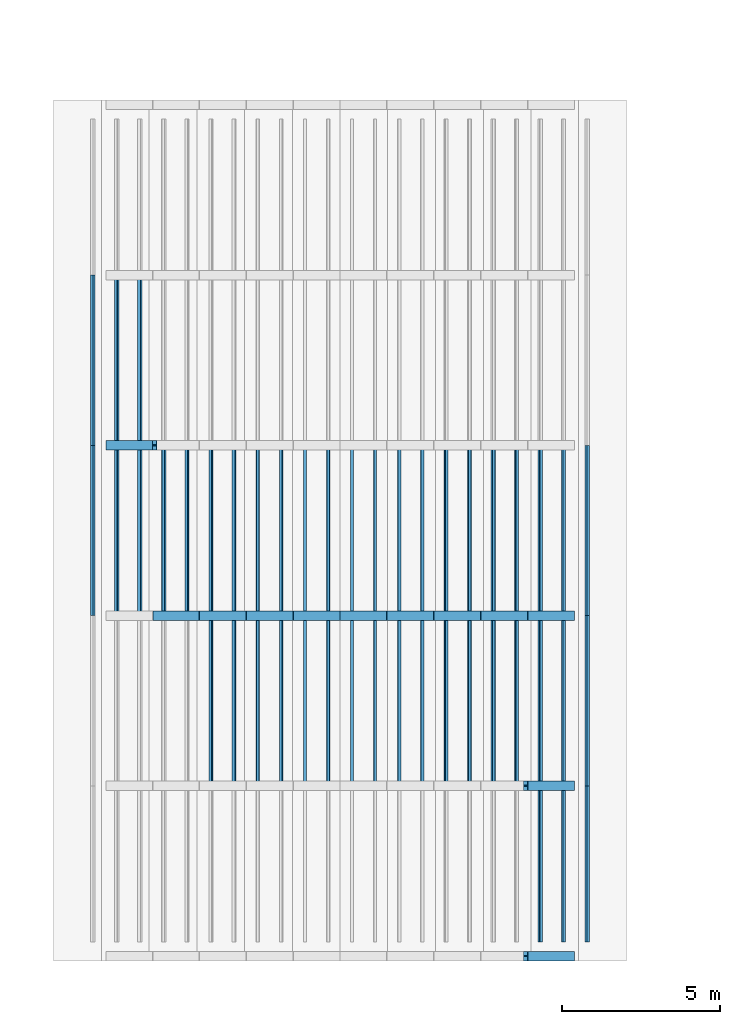
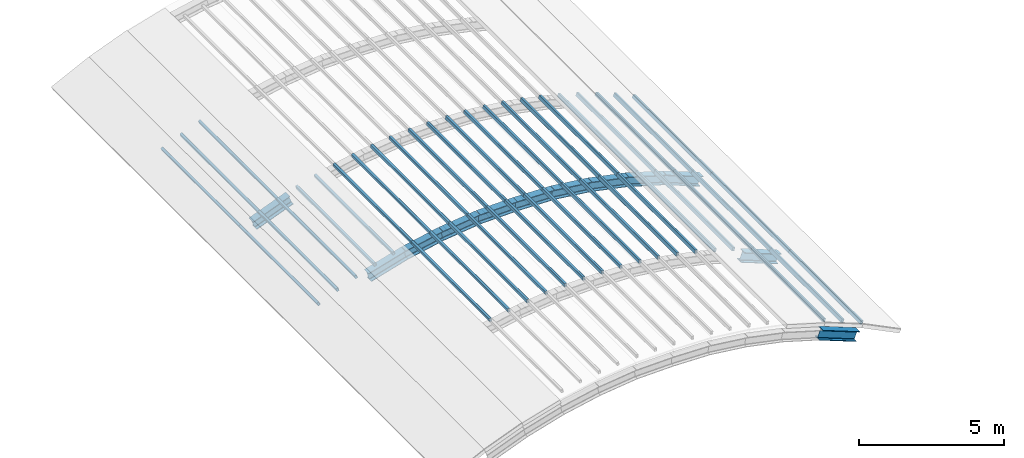
# One storey, part 5 of 65: 57 members.
"""IFC4 building model written with IfcOpenShell, lengths in metres."""

from ifc_helpers import new_model, si_unit, direction, frame, origin, origin_2d, place, context, subcontext, project, spatial, hollow_rectangle, i_section, extrude, material, material_profile, profile_set, type_object, element, save


model = new_model("IFC4")

# Units and contexts
model_context = context("Model", 3, precision=1e-05, world=origin(), true_north=direction((0.0, 1.0)))
body_context = subcontext(model_context, "Body", "Model", "MODEL_VIEW")
ifc_project = project(units=[si_unit("LENGTHUNIT", "METRE"), si_unit("AREAUNIT", "SQUARE_METRE"), si_unit("VOLUMEUNIT", "CUBIC_METRE"), si_unit("PLANEANGLEUNIT", "RADIAN"), si_unit("MASSUNIT", "GRAM", prefix="KILO")], contexts=[model_context])

# Site, building, storey
site_placement = place(None, origin())
site = spatial("IfcSite", under=ifc_project, at=site_placement, CompositionType="ELEMENT")
building_placement = place(site_placement, origin())
building = spatial("IfcBuilding", under=site, at=building_placement, Name="Elbe Cascade School", CompositionType="ELEMENT")
storey_placement = place(building_placement, frame((0.0, 0.0, 11.699951171875)))
storey = spatial("IfcBuildingStorey", under=building, at=storey_placement, Name="L03", CompositionType="ELEMENT", Elevation=11.699951171875)

# Members
ifc_material_1 = material(Name="Steel S355J2H", Category="steel")
ifc_material_profile_1 = material_profile(ifc_material_1, hollow_rectangle(XDim=0.10009765625, YDim=0.14990234375, WallThickness=0.008056640625, InnerFilletRadius=0.008056640625, OuterFilletRadius=0.011962890625, at=origin_2d()), Name="RHS 150x100x8")
ifc_profile_set_1 = profile_set([ifc_material_profile_1], Name="Steel S355J2H")
member_type_1 = type_object("IfcMemberType", Name="Assembly hall vault purlin RHS 150x100x8", PredefinedType="PURLIN", material=ifc_profile_set_1)
member_1_placement = place(storey_placement, frame((9.1552734375, 16.800048828125, 0.316650390625), z_axis=(0.0, 1.0, 0.0), x_axis=(-0.896138941153, 0.0, -0.443773588837)))
element("IfcMember", 1, at=member_1_placement, inside=storey, type_object=member_type_1, Name="Assembly hall vault purlin RHS 150x100x8 M12", PredefinedType="PURLIN", context=body_context, shape_type="SweptSolid", body=[
    extrude(hollow_rectangle(XDim=0.10009765625, YDim=0.14990234375, WallThickness=0.008056640625, InnerFilletRadius=0.008056640625, OuterFilletRadius=0.011962890625, at=origin_2d()), origin(), (0.0, 0.0, 1.0), 5.39990234375),
])
member_2_placement = place(storey_placement, frame((9.1552734375, 22.199951171875, 0.316650390625), z_axis=(0.0, 1.0, 0.0), x_axis=(-0.896138941153, 0.0, -0.443773588837)))
element("IfcMember", 2, at=member_2_placement, inside=storey, type_object=member_type_1, Name="Assembly hall vault purlin RHS 150x100x8 M12", PredefinedType="PURLIN", context=body_context, shape_type="SweptSolid", body=[
    extrude(hollow_rectangle(XDim=0.10009765625, YDim=0.14990234375, WallThickness=0.008056640625, InnerFilletRadius=0.008056640625, OuterFilletRadius=0.011962890625, at=origin_2d()), origin(), (0.0, 0.0, 1.0), 5.400146484375),
])
member_3_placement = place(storey_placement, frame((9.9130859375, 16.800048828125, 0.65185546875), z_axis=(0.0, 1.0, 0.0), x_axis=(-0.931759682277, 0.0, -0.363075604362)))
element("IfcMember", 3, at=member_3_placement, inside=storey, type_object=member_type_1, Name="Assembly hall vault purlin RHS 150x100x8 M12", PredefinedType="PURLIN", context=body_context, shape_type="SweptSolid", body=[
    extrude(hollow_rectangle(XDim=0.10009765625, YDim=0.14990234375, WallThickness=0.008056640625, InnerFilletRadius=0.008056640625, OuterFilletRadius=0.011962890625, at=origin_2d()), origin(), (0.0, 0.0, 1.0), 5.39990234375),
])
member_4_placement = place(storey_placement, frame((9.9130859375, 22.199951171875, 0.65185546875), z_axis=(0.0, 1.0, 0.0), x_axis=(-0.931759682277, 0.0, -0.363075604362)))
element("IfcMember", 4, at=member_4_placement, inside=storey, type_object=member_type_1, Name="Assembly hall vault purlin RHS 150x100x8 M12", PredefinedType="PURLIN", context=body_context, shape_type="SweptSolid", body=[
    extrude(hollow_rectangle(XDim=0.10009765625, YDim=0.14990234375, WallThickness=0.008056640625, InnerFilletRadius=0.008056640625, OuterFilletRadius=0.011962890625, at=origin_2d()), origin(), (0.0, 0.0, 1.0), 5.400146484375),
])
member_5_placement = place(storey_placement, frame((10.6484375, 16.800048828125, 0.9384765625), z_axis=(0.0, 1.0, 0.0), x_axis=(-0.931759682277, 0.0, -0.363075604362)))
element("IfcMember", 5, at=member_5_placement, inside=storey, type_object=member_type_1, Name="Assembly hall vault purlin RHS 150x100x8 M12", PredefinedType="PURLIN", context=body_context, shape_type="SweptSolid", body=[
    extrude(hollow_rectangle(XDim=0.10009765625, YDim=0.14990234375, WallThickness=0.008056640625, InnerFilletRadius=0.008056640625, OuterFilletRadius=0.011962890625, at=origin_2d()), origin(), (0.0, 0.0, 1.0), 5.39990234375),
])
member_6_placement = place(storey_placement, frame((10.6484375, 22.199951171875, 0.9384765625), z_axis=(0.0, 1.0, 0.0), x_axis=(-0.931759682277, 0.0, -0.363075604362)))
element("IfcMember", 6, at=member_6_placement, inside=storey, type_object=member_type_1, Name="Assembly hall vault purlin RHS 150x100x8 M12", PredefinedType="PURLIN", context=body_context, shape_type="SweptSolid", body=[
    extrude(hollow_rectangle(XDim=0.10009765625, YDim=0.14990234375, WallThickness=0.008056640625, InnerFilletRadius=0.008056640625, OuterFilletRadius=0.011962890625, at=origin_2d()), origin(), (0.0, 0.0, 1.0), 5.400146484375),
])
for number, where, z_axis, x_axis, name in (
    (7, (11.40625, 16.800048828125, 1.197509765625), (0.0, 1.0, 0.0), (-0.959320873157, 0.0, -0.282318016296), "Assembly hall vault purlin RHS 150x100x8 M12"),
    (8, (12.1416015625, 16.800048828125, 1.4140625), (0.0, 1.0, 0.0), (-0.959320873157, 0.0, -0.282318016296), "Assembly hall vault purlin RHS 150x100x8 M12"),
):
    element("IfcMember", number, at=place(storey_placement, frame(where, z_axis=z_axis, x_axis=x_axis)), inside=storey, type_object=member_type_1, Name=name, PredefinedType="PURLIN", context=body_context, shape_type="SweptSolid", body=[
        extrude(hollow_rectangle(XDim=0.10009765625, YDim=0.14990234375, WallThickness=0.008056640625, InnerFilletRadius=0.008056640625, OuterFilletRadius=0.011962890625, at=origin_2d()), origin(), (0.0, 0.0, 1.0), 5.39990234375),
    ])
member_7_placement = place(storey_placement, frame((12.8994140625, 11.39990234375, 1.603515625), z_axis=(0.0, 1.0, 0.0), x_axis=(-0.979450827338, 0.0, -0.201683109922)))
element("IfcMember", 9, at=member_7_placement, inside=storey, type_object=member_type_1, Name="Assembly hall vault purlin RHS 150x100x8 M12", PredefinedType="PURLIN", context=body_context, shape_type="SweptSolid", body=[
    extrude(hollow_rectangle(XDim=0.10009765625, YDim=0.14990234375, WallThickness=0.008056640625, InnerFilletRadius=0.008056640625, OuterFilletRadius=0.011962890625, at=origin_2d()), origin(), (0.0, 0.0, 1.0), 5.400146484375),
])
member_8_placement = place(storey_placement, frame((12.8994140625, 16.800048828125, 1.603515625), z_axis=(0.0, 1.0, 0.0), x_axis=(-0.979450827338, 0.0, -0.201683109922)))
element("IfcMember", 10, at=member_8_placement, inside=storey, type_object=member_type_1, Name="Assembly hall vault purlin RHS 150x100x8 M12", PredefinedType="PURLIN", context=body_context, shape_type="SweptSolid", body=[
    extrude(hollow_rectangle(XDim=0.10009765625, YDim=0.14990234375, WallThickness=0.008056640625, InnerFilletRadius=0.008056640625, OuterFilletRadius=0.011962890625, at=origin_2d()), origin(), (0.0, 0.0, 1.0), 5.39990234375),
])
member_9_placement = place(storey_placement, frame((13.635009765625, 11.39990234375, 1.7548828125), z_axis=(0.0, 1.0, 0.0), x_axis=(-0.979450827338, 0.0, -0.201683109922)))
element("IfcMember", 11, at=member_9_placement, inside=storey, type_object=member_type_1, Name="Assembly hall vault purlin RHS 150x100x8 M12", PredefinedType="PURLIN", context=body_context, shape_type="SweptSolid", body=[
    extrude(hollow_rectangle(XDim=0.10009765625, YDim=0.14990234375, WallThickness=0.008056640625, InnerFilletRadius=0.008056640625, OuterFilletRadius=0.011962890625, at=origin_2d()), origin(), (0.0, 0.0, 1.0), 5.400146484375),
])
member_10_placement = place(storey_placement, frame((13.635009765625, 16.800048828125, 1.7548828125), z_axis=(0.0, 1.0, 0.0), x_axis=(-0.979450827338, 0.0, -0.201683109922)))
element("IfcMember", 12, at=member_10_placement, inside=storey, type_object=member_type_1, Name="Assembly hall vault purlin RHS 150x100x8 M12", PredefinedType="PURLIN", context=body_context, shape_type="SweptSolid", body=[
    extrude(hollow_rectangle(XDim=0.10009765625, YDim=0.14990234375, WallThickness=0.008056640625, InnerFilletRadius=0.008056640625, OuterFilletRadius=0.011962890625, at=origin_2d()), origin(), (0.0, 0.0, 1.0), 5.39990234375),
])
member_11_placement = place(storey_placement, frame((14.392578125, 11.39990234375, 1.879150390625), z_axis=(0.0, 1.0, 0.0), x_axis=(-0.992652124759, 0.0, -0.121003137194)))
element("IfcMember", 13, at=member_11_placement, inside=storey, type_object=member_type_1, Name="Assembly hall vault purlin RHS 150x100x8 M12", PredefinedType="PURLIN", context=body_context, shape_type="SweptSolid", body=[
    extrude(hollow_rectangle(XDim=0.10009765625, YDim=0.14990234375, WallThickness=0.008056640625, InnerFilletRadius=0.008056640625, OuterFilletRadius=0.011962890625, at=origin_2d()), origin(), (0.0, 0.0, 1.0), 5.400146484375),
])
member_12_placement = place(storey_placement, frame((14.392578125, 16.800048828125, 1.879150390625), z_axis=(0.0, 1.0, 0.0), x_axis=(-0.992652124759, 0.0, -0.121003137194)))
element("IfcMember", 14, at=member_12_placement, inside=storey, type_object=member_type_1, Name="Assembly hall vault purlin RHS 150x100x8 M12", PredefinedType="PURLIN", context=body_context, shape_type="SweptSolid", body=[
    extrude(hollow_rectangle(XDim=0.10009765625, YDim=0.14990234375, WallThickness=0.008056640625, InnerFilletRadius=0.008056640625, OuterFilletRadius=0.011962890625, at=origin_2d()), origin(), (0.0, 0.0, 1.0), 5.39990234375),
])
member_13_placement = place(storey_placement, frame((15.1279296875, 11.39990234375, 1.96875), z_axis=(0.0, 1.0, 0.0), x_axis=(-0.992652124759, 0.0, -0.121003137194)))
element("IfcMember", 15, at=member_13_placement, inside=storey, type_object=member_type_1, Name="Assembly hall vault purlin RHS 150x100x8 M12", PredefinedType="PURLIN", context=body_context, shape_type="SweptSolid", body=[
    extrude(hollow_rectangle(XDim=0.10009765625, YDim=0.14990234375, WallThickness=0.008056640625, InnerFilletRadius=0.008056640625, OuterFilletRadius=0.011962890625, at=origin_2d()), origin(), (0.0, 0.0, 1.0), 5.400146484375),
])
member_14_placement = place(storey_placement, frame((15.1279296875, 16.800048828125, 1.96875), z_axis=(0.0, 1.0, 0.0), x_axis=(-0.992652124759, 0.0, -0.121003137194)))
element("IfcMember", 16, at=member_14_placement, inside=storey, type_object=member_type_1, Name="Assembly hall vault purlin RHS 150x100x8 M12", PredefinedType="PURLIN", context=body_context, shape_type="SweptSolid", body=[
    extrude(hollow_rectangle(XDim=0.10009765625, YDim=0.14990234375, WallThickness=0.008056640625, InnerFilletRadius=0.008056640625, OuterFilletRadius=0.011962890625, at=origin_2d()), origin(), (0.0, 0.0, 1.0), 5.39990234375),
])
member_15_placement = place(storey_placement, frame((15.890380859375, 11.39990234375, 2.024169921875), z_axis=(0.0, 1.0, 0.0), x_axis=(-0.999726690182, 0.0, -0.023378300587)))
element("IfcMember", 17, at=member_15_placement, inside=storey, type_object=member_type_1, Name="Assembly hall vault purlin RHS 150x100x8 M12", PredefinedType="PURLIN", context=body_context, shape_type="SweptSolid", body=[
    extrude(hollow_rectangle(XDim=0.10009765625, YDim=0.14990234375, WallThickness=0.008056640625, InnerFilletRadius=0.008056640625, OuterFilletRadius=0.011962890625, at=origin_2d()), origin(), (0.0, 0.0, 1.0), 5.400146484375),
])
member_16_placement = place(storey_placement, frame((15.890380859375, 16.800048828125, 2.024169921875), z_axis=(0.0, 1.0, 0.0), x_axis=(-0.999726690182, 0.0, -0.023378300587)))
element("IfcMember", 18, at=member_16_placement, inside=storey, type_object=member_type_1, Name="Assembly hall vault purlin RHS 150x100x8 M12", PredefinedType="PURLIN", context=body_context, shape_type="SweptSolid", body=[
    extrude(hollow_rectangle(XDim=0.10009765625, YDim=0.14990234375, WallThickness=0.008056640625, InnerFilletRadius=0.008056640625, OuterFilletRadius=0.011962890625, at=origin_2d()), origin(), (0.0, 0.0, 1.0), 5.39990234375),
])
member_17_placement = place(storey_placement, frame((16.625732421875, 11.39990234375, 2.041259765625), z_axis=(0.0, 1.0, 0.0), x_axis=(-0.999726690182, 0.0, -0.023378300587)))
element("IfcMember", 19, at=member_17_placement, inside=storey, type_object=member_type_1, Name="Assembly hall vault purlin RHS 150x100x8 M12", PredefinedType="PURLIN", context=body_context, shape_type="SweptSolid", body=[
    extrude(hollow_rectangle(XDim=0.10009765625, YDim=0.14990234375, WallThickness=0.008056640625, InnerFilletRadius=0.008056640625, OuterFilletRadius=0.011962890625, at=origin_2d()), origin(), (0.0, 0.0, 1.0), 5.400146484375),
])
member_18_placement = place(storey_placement, frame((16.625732421875, 16.800048828125, 2.041259765625), z_axis=(0.0, 1.0, 0.0), x_axis=(-0.999726690182, 0.0, -0.023378300587)))
element("IfcMember", 20, at=member_18_placement, inside=storey, type_object=member_type_1, Name="Assembly hall vault purlin RHS 150x100x8 M12", PredefinedType="PURLIN", context=body_context, shape_type="SweptSolid", body=[
    extrude(hollow_rectangle(XDim=0.10009765625, YDim=0.14990234375, WallThickness=0.008056640625, InnerFilletRadius=0.008056640625, OuterFilletRadius=0.011962890625, at=origin_2d()), origin(), (0.0, 0.0, 1.0), 5.39990234375),
])
member_19_placement = place(storey_placement, frame((17.374267578125, 11.39990234375, 2.041259765625), z_axis=(0.0, 1.0, 0.0), x_axis=(-0.999726690182, 0.0, 0.023378300587)))
element("IfcMember", 21, at=member_19_placement, inside=storey, type_object=member_type_1, Name="Assembly hall vault purlin RHS 150x100x8 M12", PredefinedType="PURLIN", context=body_context, shape_type="SweptSolid", body=[
    extrude(hollow_rectangle(XDim=0.10009765625, YDim=0.14990234375, WallThickness=0.008056640625, InnerFilletRadius=0.008056640625, OuterFilletRadius=0.011962890625, at=origin_2d()), origin(), (0.0, 0.0, 1.0), 5.400146484375),
])
member_20_placement = place(storey_placement, frame((17.374267578125, 16.800048828125, 2.041259765625), z_axis=(0.0, 1.0, 0.0), x_axis=(-0.999726690182, 0.0, 0.023378300587)))
element("IfcMember", 22, at=member_20_placement, inside=storey, type_object=member_type_1, Name="Assembly hall vault purlin RHS 150x100x8 M12", PredefinedType="PURLIN", context=body_context, shape_type="SweptSolid", body=[
    extrude(hollow_rectangle(XDim=0.10009765625, YDim=0.14990234375, WallThickness=0.008056640625, InnerFilletRadius=0.008056640625, OuterFilletRadius=0.011962890625, at=origin_2d()), origin(), (0.0, 0.0, 1.0), 5.39990234375),
])
member_21_placement = place(storey_placement, frame((18.109619140625, 11.39990234375, 2.024169921875), z_axis=(0.0, 1.0, 0.0), x_axis=(-0.999726690182, 0.0, 0.023378300587)))
element("IfcMember", 23, at=member_21_placement, inside=storey, type_object=member_type_1, Name="Assembly hall vault purlin RHS 150x100x8 M12", PredefinedType="PURLIN", context=body_context, shape_type="SweptSolid", body=[
    extrude(hollow_rectangle(XDim=0.10009765625, YDim=0.14990234375, WallThickness=0.008056640625, InnerFilletRadius=0.008056640625, OuterFilletRadius=0.011962890625, at=origin_2d()), origin(), (0.0, 0.0, 1.0), 5.400146484375),
])
member_22_placement = place(storey_placement, frame((18.109619140625, 16.800048828125, 2.024169921875), z_axis=(0.0, 1.0, 0.0), x_axis=(-0.999726690182, 0.0, 0.023378300587)))
element("IfcMember", 24, at=member_22_placement, inside=storey, type_object=member_type_1, Name="Assembly hall vault purlin RHS 150x100x8 M12", PredefinedType="PURLIN", context=body_context, shape_type="SweptSolid", body=[
    extrude(hollow_rectangle(XDim=0.10009765625, YDim=0.14990234375, WallThickness=0.008056640625, InnerFilletRadius=0.008056640625, OuterFilletRadius=0.011962890625, at=origin_2d()), origin(), (0.0, 0.0, 1.0), 5.39990234375),
])
member_23_placement = place(storey_placement, frame((18.8720703125, 11.39990234375, 1.96875), z_axis=(0.0, 1.0, 0.0), x_axis=(-0.992653180673, 0.0, 0.120994474666)))
element("IfcMember", 25, at=member_23_placement, inside=storey, type_object=member_type_1, Name="Assembly hall vault purlin RHS 150x100x8 M12", PredefinedType="PURLIN", context=body_context, shape_type="SweptSolid", body=[
    extrude(hollow_rectangle(XDim=0.10009765625, YDim=0.14990234375, WallThickness=0.008056640625, InnerFilletRadius=0.008056640625, OuterFilletRadius=0.011962890625, at=origin_2d()), origin(), (0.0, 0.0, 1.0), 5.400146484375),
])
member_24_placement = place(storey_placement, frame((18.8720703125, 16.800048828125, 1.96875), z_axis=(0.0, 1.0, 0.0), x_axis=(-0.992653180673, 0.0, 0.120994474666)))
element("IfcMember", 26, at=member_24_placement, inside=storey, type_object=member_type_1, Name="Assembly hall vault purlin RHS 150x100x8 M12", PredefinedType="PURLIN", context=body_context, shape_type="SweptSolid", body=[
    extrude(hollow_rectangle(XDim=0.10009765625, YDim=0.14990234375, WallThickness=0.008056640625, InnerFilletRadius=0.008056640625, OuterFilletRadius=0.011962890625, at=origin_2d()), origin(), (0.0, 0.0, 1.0), 5.39990234375),
])
member_25_placement = place(storey_placement, frame((19.607421875, 11.39990234375, 1.879150390625), z_axis=(0.0, 1.0, 0.0), x_axis=(-0.992653180673, 0.0, 0.120994474666)))
element("IfcMember", 27, at=member_25_placement, inside=storey, type_object=member_type_1, Name="Assembly hall vault purlin RHS 150x100x8 M12", PredefinedType="PURLIN", context=body_context, shape_type="SweptSolid", body=[
    extrude(hollow_rectangle(XDim=0.10009765625, YDim=0.14990234375, WallThickness=0.008056640625, InnerFilletRadius=0.008056640625, OuterFilletRadius=0.011962890625, at=origin_2d()), origin(), (0.0, 0.0, 1.0), 5.400146484375),
])
member_26_placement = place(storey_placement, frame((19.607421875, 16.800048828125, 1.879150390625), z_axis=(0.0, 1.0, 0.0), x_axis=(-0.992653180673, 0.0, 0.120994474666)))
element("IfcMember", 28, at=member_26_placement, inside=storey, type_object=member_type_1, Name="Assembly hall vault purlin RHS 150x100x8 M12", PredefinedType="PURLIN", context=body_context, shape_type="SweptSolid", body=[
    extrude(hollow_rectangle(XDim=0.10009765625, YDim=0.14990234375, WallThickness=0.008056640625, InnerFilletRadius=0.008056640625, OuterFilletRadius=0.011962890625, at=origin_2d()), origin(), (0.0, 0.0, 1.0), 5.39990234375),
])
member_27_placement = place(storey_placement, frame((20.365234375, 11.39990234375, 1.7548828125), z_axis=(0.0, 1.0, 0.0), x_axis=(-0.979448011215, 0.0, 0.201696785616)))
element("IfcMember", 29, at=member_27_placement, inside=storey, type_object=member_type_1, Name="Assembly hall vault purlin RHS 150x100x8 M12", PredefinedType="PURLIN", context=body_context, shape_type="SweptSolid", body=[
    extrude(hollow_rectangle(XDim=0.10009765625, YDim=0.14990234375, WallThickness=0.008056640625, InnerFilletRadius=0.008056640625, OuterFilletRadius=0.011962890625, at=origin_2d()), origin(), (0.0, 0.0, 1.0), 5.400146484375),
])
member_28_placement = place(storey_placement, frame((20.365234375, 16.800048828125, 1.7548828125), z_axis=(0.0, 1.0, 0.0), x_axis=(-0.979448011215, 0.0, 0.201696785616)))
element("IfcMember", 30, at=member_28_placement, inside=storey, type_object=member_type_1, Name="Assembly hall vault purlin RHS 150x100x8 M12", PredefinedType="PURLIN", context=body_context, shape_type="SweptSolid", body=[
    extrude(hollow_rectangle(XDim=0.10009765625, YDim=0.14990234375, WallThickness=0.008056640625, InnerFilletRadius=0.008056640625, OuterFilletRadius=0.011962890625, at=origin_2d()), origin(), (0.0, 0.0, 1.0), 5.39990234375),
])
member_29_placement = place(storey_placement, frame((21.1005859375, 11.39990234375, 1.603515625), z_axis=(0.0, 1.0, 0.0), x_axis=(-0.979448011215, 0.0, 0.201696785616)))
element("IfcMember", 31, at=member_29_placement, inside=storey, type_object=member_type_1, Name="Assembly hall vault purlin RHS 150x100x8 M12", PredefinedType="PURLIN", context=body_context, shape_type="SweptSolid", body=[
    extrude(hollow_rectangle(XDim=0.10009765625, YDim=0.14990234375, WallThickness=0.008056640625, InnerFilletRadius=0.008056640625, OuterFilletRadius=0.011962890625, at=origin_2d()), origin(), (0.0, 0.0, 1.0), 5.400146484375),
])
member_30_placement = place(storey_placement, frame((21.1005859375, 16.800048828125, 1.603515625), z_axis=(0.0, 1.0, 0.0), x_axis=(-0.979448011215, 0.0, 0.201696785616)))
element("IfcMember", 32, at=member_30_placement, inside=storey, type_object=member_type_1, Name="Assembly hall vault purlin RHS 150x100x8 M12", PredefinedType="PURLIN", context=body_context, shape_type="SweptSolid", body=[
    extrude(hollow_rectangle(XDim=0.10009765625, YDim=0.14990234375, WallThickness=0.008056640625, InnerFilletRadius=0.008056640625, OuterFilletRadius=0.011962890625, at=origin_2d()), origin(), (0.0, 0.0, 1.0), 5.39990234375),
])
member_31_placement = place(storey_placement, frame((21.8583984375, 11.39990234375, 1.4140625), z_axis=(0.0, 1.0, 0.0), x_axis=(-0.959320873157, 0.0, 0.282318016296)))
element("IfcMember", 33, at=member_31_placement, inside=storey, type_object=member_type_1, Name="Assembly hall vault purlin RHS 150x100x8 M12", PredefinedType="PURLIN", context=body_context, shape_type="SweptSolid", body=[
    extrude(hollow_rectangle(XDim=0.10009765625, YDim=0.14990234375, WallThickness=0.008056640625, InnerFilletRadius=0.008056640625, OuterFilletRadius=0.011962890625, at=origin_2d()), origin(), (0.0, 0.0, 1.0), 5.400146484375),
])
member_32_placement = place(storey_placement, frame((21.8583984375, 16.800048828125, 1.4140625), z_axis=(0.0, 1.0, 0.0), x_axis=(-0.959320873157, 0.0, 0.282318016296)))
element("IfcMember", 34, at=member_32_placement, inside=storey, type_object=member_type_1, Name="Assembly hall vault purlin RHS 150x100x8 M12", PredefinedType="PURLIN", context=body_context, shape_type="SweptSolid", body=[
    extrude(hollow_rectangle(XDim=0.10009765625, YDim=0.14990234375, WallThickness=0.008056640625, InnerFilletRadius=0.008056640625, OuterFilletRadius=0.011962890625, at=origin_2d()), origin(), (0.0, 0.0, 1.0), 5.39990234375),
])
member_33_placement = place(storey_placement, frame((22.59375, 11.39990234375, 1.197509765625), z_axis=(0.0, 1.0, 0.0), x_axis=(-0.959320873157, 0.0, 0.282318016296)))
element("IfcMember", 35, at=member_33_placement, inside=storey, type_object=member_type_1, Name="Assembly hall vault purlin RHS 150x100x8 M12", PredefinedType="PURLIN", context=body_context, shape_type="SweptSolid", body=[
    extrude(hollow_rectangle(XDim=0.10009765625, YDim=0.14990234375, WallThickness=0.008056640625, InnerFilletRadius=0.008056640625, OuterFilletRadius=0.011962890625, at=origin_2d()), origin(), (0.0, 0.0, 1.0), 5.400146484375),
])
member_34_placement = place(storey_placement, frame((22.59375, 16.800048828125, 1.197509765625), z_axis=(0.0, 1.0, 0.0), x_axis=(-0.959320873157, 0.0, 0.282318016296)))
element("IfcMember", 36, at=member_34_placement, inside=storey, type_object=member_type_1, Name="Assembly hall vault purlin RHS 150x100x8 M12", PredefinedType="PURLIN", context=body_context, shape_type="SweptSolid", body=[
    extrude(hollow_rectangle(XDim=0.10009765625, YDim=0.14990234375, WallThickness=0.008056640625, InnerFilletRadius=0.008056640625, OuterFilletRadius=0.011962890625, at=origin_2d()), origin(), (0.0, 0.0, 1.0), 5.39990234375),
])
member_35_placement = place(storey_placement, frame((23.3515625, 6.449951171875, 0.9384765625), z_axis=(0.0, 1.0, 0.0), x_axis=(-0.931759682277, 0.0, 0.363075604362)))
element("IfcMember", 37, at=member_35_placement, inside=storey, type_object=member_type_1, Name="Assembly hall vault purlin RHS 150x100x8 M12", PredefinedType="PURLIN", context=body_context, shape_type="SweptSolid", body=[
    extrude(hollow_rectangle(XDim=0.10009765625, YDim=0.14990234375, WallThickness=0.008056640625, InnerFilletRadius=0.008056640625, OuterFilletRadius=0.011962890625, at=origin_2d()), origin(), (0.0, 0.0, 1.0), 4.949951171875),
])
member_36_placement = place(storey_placement, frame((23.3515625, 11.39990234375, 0.9384765625), z_axis=(0.0, 1.0, 0.0), x_axis=(-0.931759682277, 0.0, 0.363075604362)))
element("IfcMember", 38, at=member_36_placement, inside=storey, type_object=member_type_1, Name="Assembly hall vault purlin RHS 150x100x8 M12", PredefinedType="PURLIN", context=body_context, shape_type="SweptSolid", body=[
    extrude(hollow_rectangle(XDim=0.10009765625, YDim=0.14990234375, WallThickness=0.008056640625, InnerFilletRadius=0.008056640625, OuterFilletRadius=0.011962890625, at=origin_2d()), origin(), (0.0, 0.0, 1.0), 5.400146484375),
])
member_37_placement = place(storey_placement, frame((23.3515625, 16.800048828125, 0.9384765625), z_axis=(0.0, 1.0, 0.0), x_axis=(-0.931759682277, 0.0, 0.363075604362)))
element("IfcMember", 39, at=member_37_placement, inside=storey, type_object=member_type_1, Name="Assembly hall vault purlin RHS 150x100x8 M12", PredefinedType="PURLIN", context=body_context, shape_type="SweptSolid", body=[
    extrude(hollow_rectangle(XDim=0.10009765625, YDim=0.14990234375, WallThickness=0.008056640625, InnerFilletRadius=0.008056640625, OuterFilletRadius=0.011962890625, at=origin_2d()), origin(), (0.0, 0.0, 1.0), 5.39990234375),
])
member_38_placement = place(storey_placement, frame((24.0869140625, 6.449951171875, 0.65185546875), z_axis=(0.0, 1.0, 0.0), x_axis=(-0.931759682277, 0.0, 0.363075604362)))
element("IfcMember", 40, at=member_38_placement, inside=storey, type_object=member_type_1, Name="Assembly hall vault purlin RHS 150x100x8 M12", PredefinedType="PURLIN", context=body_context, shape_type="SweptSolid", body=[
    extrude(hollow_rectangle(XDim=0.10009765625, YDim=0.14990234375, WallThickness=0.008056640625, InnerFilletRadius=0.008056640625, OuterFilletRadius=0.011962890625, at=origin_2d()), origin(), (0.0, 0.0, 1.0), 4.949951171875),
])
member_39_placement = place(storey_placement, frame((24.0869140625, 11.39990234375, 0.65185546875), z_axis=(0.0, 1.0, 0.0), x_axis=(-0.931759682277, 0.0, 0.363075604362)))
element("IfcMember", 41, at=member_39_placement, inside=storey, type_object=member_type_1, Name="Assembly hall vault purlin RHS 150x100x8 M12", PredefinedType="PURLIN", context=body_context, shape_type="SweptSolid", body=[
    extrude(hollow_rectangle(XDim=0.10009765625, YDim=0.14990234375, WallThickness=0.008056640625, InnerFilletRadius=0.008056640625, OuterFilletRadius=0.011962890625, at=origin_2d()), origin(), (0.0, 0.0, 1.0), 5.400146484375),
])
member_40_placement = place(storey_placement, frame((24.0869140625, 16.800048828125, 0.65185546875), z_axis=(0.0, 1.0, 0.0), x_axis=(-0.931759682277, 0.0, 0.363075604362)))
element("IfcMember", 42, at=member_40_placement, inside=storey, type_object=member_type_1, Name="Assembly hall vault purlin RHS 150x100x8 M12", PredefinedType="PURLIN", context=body_context, shape_type="SweptSolid", body=[
    extrude(hollow_rectangle(XDim=0.10009765625, YDim=0.14990234375, WallThickness=0.008056640625, InnerFilletRadius=0.008056640625, OuterFilletRadius=0.011962890625, at=origin_2d()), origin(), (0.0, 0.0, 1.0), 5.39990234375),
])
member_41_placement = place(storey_placement, frame((24.8447265625, 6.449951171875, 0.316650390625), z_axis=(0.0, 1.0, 0.0), x_axis=(-0.896150558811, 0.0, 0.443750127822)))
element("IfcMember", 43, at=member_41_placement, inside=storey, type_object=member_type_1, Name="Assembly hall vault purlin RHS 150x100x8 M12", PredefinedType="PURLIN", context=body_context, shape_type="SweptSolid", body=[
    extrude(hollow_rectangle(XDim=0.10009765625, YDim=0.14990234375, WallThickness=0.008056640625, InnerFilletRadius=0.008056640625, OuterFilletRadius=0.011962890625, at=origin_2d()), origin(), (0.0, 0.0, 1.0), 4.949951171875),
])
member_42_placement = place(storey_placement, frame((24.8447265625, 11.39990234375, 0.316650390625), z_axis=(0.0, 1.0, 0.0), x_axis=(-0.896150558811, 0.0, 0.443750127822)))
element("IfcMember", 44, at=member_42_placement, inside=storey, type_object=member_type_1, Name="Assembly hall vault purlin RHS 150x100x8 M12", PredefinedType="PURLIN", context=body_context, shape_type="SweptSolid", body=[
    extrude(hollow_rectangle(XDim=0.10009765625, YDim=0.14990234375, WallThickness=0.008056640625, InnerFilletRadius=0.008056640625, OuterFilletRadius=0.011962890625, at=origin_2d()), origin(), (0.0, 0.0, 1.0), 5.400146484375),
])
member_43_placement = place(storey_placement, frame((24.8447265625, 16.800048828125, 0.316650390625), z_axis=(0.0, 1.0, 0.0), x_axis=(-0.896150558811, 0.0, 0.443750127822)))
element("IfcMember", 45, at=member_43_placement, inside=storey, type_object=member_type_1, Name="Assembly hall vault purlin RHS 150x100x8 M12", PredefinedType="PURLIN", context=body_context, shape_type="SweptSolid", body=[
    extrude(hollow_rectangle(XDim=0.10009765625, YDim=0.14990234375, WallThickness=0.008056640625, InnerFilletRadius=0.008056640625, OuterFilletRadius=0.011962890625, at=origin_2d()), origin(), (0.0, 0.0, 1.0), 5.39990234375),
])
ifc_material_2 = material(Name="Steel S355J2", Category="steel")
ifc_material_profile_2 = material_profile(ifc_material_2, i_section(OverallWidth=0.300048828125, OverallDepth=0.39990234375, WebThickness=0.013427734375, FlangeThickness=0.02392578125, FilletRadius=0.027099609375, at=origin_2d()), Name="HEB 400")
ifc_profile_set_2 = profile_set([ifc_material_profile_2], Name="Steel S355J2")
member_type_2 = type_object("IfcMemberType", Name="Assembly hall vault rib HEB 400", PredefinedType="RAFTER", material=ifc_profile_set_2)
for number, where, z_axis, x_axis, name in (
    (46, (22.8837890625, 6.0, 0.825439453125), (0.931818823681, 0.0, -0.362923793425), (0.0, 1.0, 0.0), "Assembly hall vault rib HEB 400 M11"),
    (47, (22.8837890625, 11.39990234375, 0.825439453125), (0.931818823681, 0.0, -0.362923793425), (0.0, 1.0, 0.0), "Assembly hall vault rib HEB 400 M11"),
):
    element("IfcMember", number, at=place(storey_placement, frame(where, z_axis=z_axis, x_axis=x_axis)), inside=storey, type_object=member_type_2, Name=name, PredefinedType="RAFTER", context=body_context, shape_type="SweptSolid", body=[
        extrude(i_section(OverallWidth=0.300048828125, OverallDepth=0.39990234375, WebThickness=0.013427734375, FlangeThickness=0.02392578125, FilletRadius=0.027099609375, at=origin_2d()), origin(), (0.0, 0.0, 1.0), 1.578857421875),
    ])
member_44_placement = place(storey_placement, frame((11.1162109375, 16.800048828125, 0.825439453125), z_axis=(0.95928179447, 0.0, 0.282450772347), x_axis=(0.0, 1.0, 0.0)))
element("IfcMember", 48, at=member_44_placement, inside=storey, type_object=member_type_2, Name="Assembly hall vault rib HEB 400 M11", PredefinedType="RAFTER", context=body_context, shape_type="SweptSolid", body=[
    extrude(i_section(OverallWidth=0.300048828125, OverallDepth=0.39990234375, WebThickness=0.013427734375, FlangeThickness=0.02392578125, FilletRadius=0.027099609375, at=origin_2d()), origin(), (0.0, 0.0, 1.0), 1.533447265625),
])
member_45_placement = place(storey_placement, frame((12.587158203125, 16.800048828125, 1.258544921875), z_axis=(0.979471206502, 0.0, 0.201584115529), x_axis=(0.0, 1.0, 0.0)))
element("IfcMember", 49, at=member_45_placement, inside=storey, type_object=member_type_2, Name="Assembly hall vault rib HEB 400 M11", PredefinedType="RAFTER", context=body_context, shape_type="SweptSolid", body=[
    extrude(i_section(OverallWidth=0.300048828125, OverallDepth=0.39990234375, WebThickness=0.013427734375, FlangeThickness=0.02392578125, FilletRadius=0.027099609375, at=origin_2d()), origin(), (0.0, 0.0, 1.0), 1.501708984375),
])
member_46_placement = place(storey_placement, frame((14.05810546875, 16.800048828125, 1.561279296875), z_axis=(0.992641048106, 0.0, 0.121093970184), x_axis=(0.0, 1.0, 0.0)))
element("IfcMember", 50, at=member_46_placement, inside=storey, type_object=member_type_2, Name="Assembly hall vault rib HEB 400 M11", PredefinedType="RAFTER", context=body_context, shape_type="SweptSolid", body=[
    extrude(i_section(OverallWidth=0.300048828125, OverallDepth=0.39990234375, WebThickness=0.013427734375, FlangeThickness=0.02392578125, FilletRadius=0.027099609375, at=origin_2d()), origin(), (0.0, 0.0, 1.0), 1.48193359375),
])
for number, where, z_axis, x_axis, name in (
    (51, (15.529052734375, 16.800048828125, 1.74072265625), (0.999726274169, 0.0, 0.023396083761), (0.0, 1.0, 0.0), "Assembly hall vault rib HEB 400 M11"),
    (52, (17.0, 16.800048828125, 1.775146484375), (0.999726274169, 0.0, -0.023396083761), (0.0, 1.0, 0.0), "Assembly hall vault rib HEB 400 M11"),
):
    element("IfcMember", number, at=place(storey_placement, frame(where, z_axis=z_axis, x_axis=x_axis)), inside=storey, type_object=member_type_2, Name=name, PredefinedType="RAFTER", context=body_context, shape_type="SweptSolid", body=[
        extrude(i_section(OverallWidth=0.300048828125, OverallDepth=0.39990234375, WebThickness=0.013427734375, FlangeThickness=0.02392578125, FilletRadius=0.027099609375, at=origin_2d()), origin(), (0.0, 0.0, 1.0), 1.471435546875),
    ])
member_47_placement = place(storey_placement, frame((18.470947265625, 16.800048828125, 1.74072265625), z_axis=(0.992641048106, 0.0, -0.121093970184), x_axis=(0.0, 1.0, 0.0)))
element("IfcMember", 53, at=member_47_placement, inside=storey, type_object=member_type_2, Name="Assembly hall vault rib HEB 400 M11", PredefinedType="RAFTER", context=body_context, shape_type="SweptSolid", body=[
    extrude(i_section(OverallWidth=0.300048828125, OverallDepth=0.39990234375, WebThickness=0.013427734375, FlangeThickness=0.02392578125, FilletRadius=0.027099609375, at=origin_2d()), origin(), (0.0, 0.0, 1.0), 1.48193359375),
])
member_48_placement = place(storey_placement, frame((19.94189453125, 16.800048828125, 1.561279296875), z_axis=(0.979471206502, 0.0, -0.201584115529), x_axis=(0.0, 1.0, 0.0)))
element("IfcMember", 54, at=member_48_placement, inside=storey, type_object=member_type_2, Name="Assembly hall vault rib HEB 400 M11", PredefinedType="RAFTER", context=body_context, shape_type="SweptSolid", body=[
    extrude(i_section(OverallWidth=0.300048828125, OverallDepth=0.39990234375, WebThickness=0.013427734375, FlangeThickness=0.02392578125, FilletRadius=0.027099609375, at=origin_2d()), origin(), (0.0, 0.0, 1.0), 1.501708984375),
])
member_49_placement = place(storey_placement, frame((21.412841796875, 16.800048828125, 1.258544921875), z_axis=(0.95928179447, 0.0, -0.282450772347), x_axis=(0.0, 1.0, 0.0)))
element("IfcMember", 55, at=member_49_placement, inside=storey, type_object=member_type_2, Name="Assembly hall vault rib HEB 400 M11", PredefinedType="RAFTER", context=body_context, shape_type="SweptSolid", body=[
    extrude(i_section(OverallWidth=0.300048828125, OverallDepth=0.39990234375, WebThickness=0.013427734375, FlangeThickness=0.02392578125, FilletRadius=0.027099609375, at=origin_2d()), origin(), (0.0, 0.0, 1.0), 1.533447265625),
])
for number, where, z_axis, x_axis, name in (
    (56, (22.8837890625, 16.800048828125, 0.825439453125), (0.931818823681, 0.0, -0.362923793425), (0.0, 1.0, 0.0), "Assembly hall vault rib HEB 400 M11"),
    (57, (9.64501953125, 22.199951171875, 0.25244140625), (0.931818823681, 0.0, 0.362923793425), (0.0, 1.0, 0.0), "Assembly hall vault rib HEB 400 M11"),
):
    element("IfcMember", number, at=place(storey_placement, frame(where, z_axis=z_axis, x_axis=x_axis)), inside=storey, type_object=member_type_2, Name=name, PredefinedType="RAFTER", context=body_context, shape_type="SweptSolid", body=[
        extrude(i_section(OverallWidth=0.300048828125, OverallDepth=0.39990234375, WebThickness=0.013427734375, FlangeThickness=0.02392578125, FilletRadius=0.027099609375, at=origin_2d()), origin(), (0.0, 0.0, 1.0), 1.578857421875),
    ])

save(model, "model.ifc")
